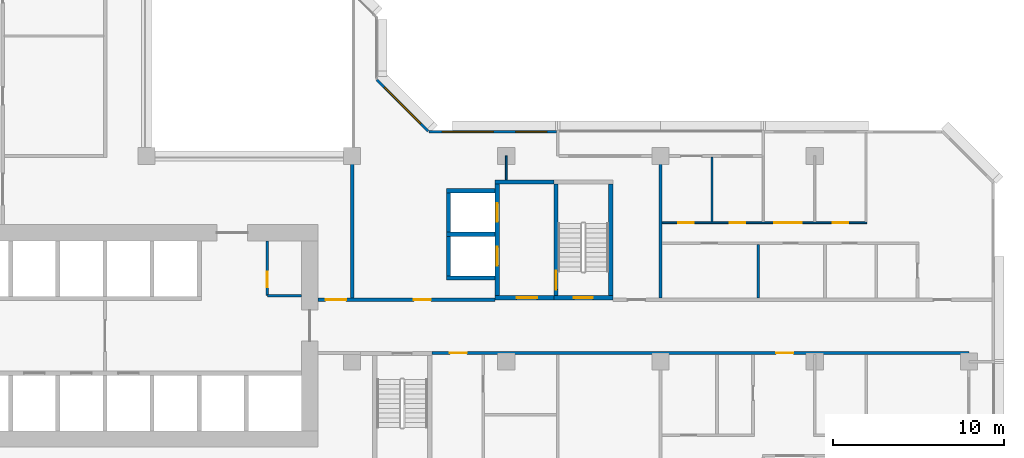
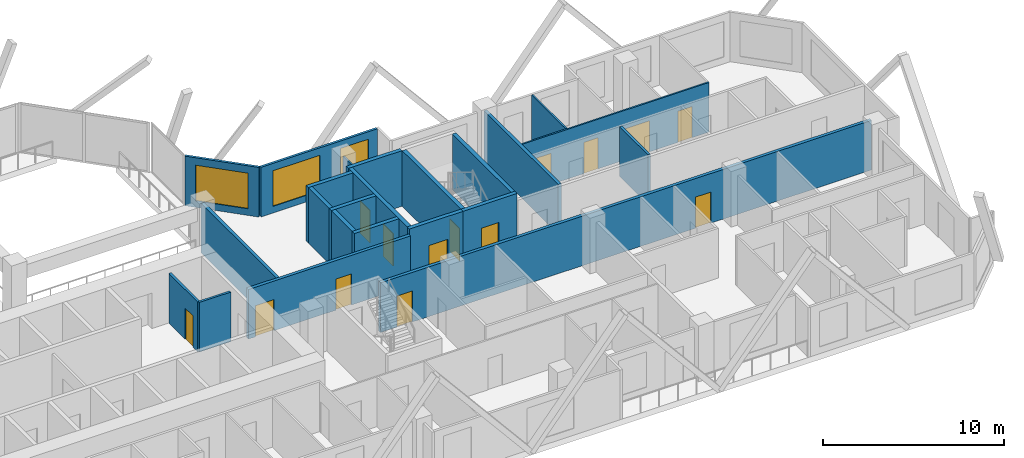
# One storey, part 7 of 15: 23 walls, 14 doors, 3 windows, 17 openings.
"""IFC4 building model written with IfcOpenShell, lengths in metres."""

from ifc_helpers import new_model, si_unit, direction, frame, frame_2d, origin, place, context, subcontext, project, spatial, rectangle, extrude, material, layer, layer_set, type_object, element, fill, save


model = new_model("IFC4")

# Units and contexts
model_context = context("Model", 3, precision=1e-05, world=origin(), true_north=direction((0.0, 1.0)))
body_context = subcontext(model_context, "Body", "Model", "MODEL_VIEW")
ifc_project = project(units=[si_unit("LENGTHUNIT", "METRE"), si_unit("AREAUNIT", "SQUARE_METRE"), si_unit("VOLUMEUNIT", "CUBIC_METRE"), si_unit("PLANEANGLEUNIT", "RADIAN"), si_unit("MASSUNIT", "GRAM", prefix="KILO")], contexts=[model_context])

# Site, building, storey
site_placement = place(None, origin())
site = spatial("IfcSite", under=ifc_project, at=site_placement, CompositionType="ELEMENT")
building_placement = place(site_placement, origin())
building = spatial("IfcBuilding", under=site, at=building_placement, Name="Chenar Terraces", CompositionType="ELEMENT")
storey_placement = place(building_placement, frame((0.0, 0.0, 121.89990234375)))
storey = spatial("IfcBuildingStorey", under=building, at=storey_placement, Name="L28", CompositionType="ELEMENT", Elevation=121.89990234375)

# Wall, opening, door
ifc_material_1 = material(Name="Gypsum board on steel studs", Category="steel")
ifc_layer_1 = layer(ifc_material_1, 0.14990234375)
ifc_layer_set_1 = layer_set([ifc_layer_1], Name="Gypsum board on steel studs")
wall_type_1 = type_object("IfcWallType", Name="Core partition 150 gypsum board", PredefinedType="PARTITIONING", material=ifc_layer_set_1)
wall_1_placement = place(storey_placement, frame((31.050048828125, 15.85009765625, 0.0), z_axis=(0.0, 0.0, 1.0), x_axis=(0.0, 1.0, 0.0)))
wall_1 = element("IfcWall", 1, at=wall_1_placement, inside=storey, type_object=wall_type_1, Name="Core partition CP1 vestibule room west wall", PredefinedType="PARTITIONING", context=body_context, shape_type="SweptSolid", body=[
    extrude(rectangle(XDim=3.199951171875, YDim=0.14990234375, at=frame_2d((1.60009765625, 0.0))), origin(), (0.0, 0.0, 1.0), 3.35009765625),
])
opening_1_placement = place(wall_1_placement, frame((0.5, 0.0, 0.0)))
opening_1 = element("IfcOpeningElement", 2, at=opening_1_placement, cuts=wall_1, Name="Opening DL28-C13", PredefinedType="OPENING", context=body_context, shape_type="SweptSolid", body=[
    extrude(rectangle(XDim=0.89990234375, YDim=2.10009765625, at=frame_2d((0.449951171875, 1.050048828125))), frame((0.0, 0.0849609375, 0.0), z_axis=(0.0, -1.0, 0.0), x_axis=(1.0, 0.0, 0.0)), (0.0, 0.0, 1.0), 0.169921875),
])
ifc_material_2 = material(Name="Steel-framed fire-resisting door leaf", Category="steel")
door_type_1 = type_object("IfcDoorType", Name="Riser fire door FD60 900 x 2100", OperationType="SINGLE_SWING_LEFT", PredefinedType="DOOR", material=ifc_material_2)
door_1_placement = place(opening_1_placement, frame((0.89990234375, 0.0, 0.0), z_axis=(0.0, 0.0, 1.0), x_axis=(-1.0, 0.0, 0.0)))
door_1 = element("IfcDoor", 3, at=door_1_placement, inside=storey, type_object=door_type_1, Name="Core room door DL28-C13", OperationType="SINGLE_SWING_RIGHT", OverallHeight=2.10009765625, OverallWidth=0.89990234375, PredefinedType="DOOR", context=body_context, shape_type="SweptSolid", body=[
    extrude(rectangle(XDim=0.89990234375, YDim=2.10009765625, at=frame_2d((0.449951171875, 1.050048828125))), frame((0.0, 0.02490234375, 0.0), z_axis=(0.0, -1.0, 0.0), x_axis=(1.0, 0.0, 0.0)), (0.0, 0.0, 1.0), 0.050048828125),
])
fill(opening_1, door_1)

# Wall
wall_2_placement = place(storey_placement, frame((31.050048828125, 15.85009765625, 0.0), z_axis=(0.0, 0.0, 1.0), x_axis=(1.0, 0.0, 0.0)))
element("IfcWall", 4, at=wall_2_placement, inside=storey, type_object=wall_type_1, Name="Core partition CP1 vestibule room south wall", PredefinedType="PARTITIONING", context=body_context, shape_type="SweptSolid", body=[
    extrude(rectangle(XDim=2.0, YDim=0.14990234375, at=frame_2d((1.0, 0.0))), origin(), (0.0, 0.0, 1.0), 3.35009765625),
])

# Wall, opening, door
ifc_material_3 = material(Name="Concrete C70/85", Category="concrete")
ifc_layer_2 = layer(ifc_material_3, 0.25)
ifc_layer_set_2 = layer_set([ifc_layer_2], Name="Concrete C70/85")
wall_type_2 = type_object("IfcWallType", Name="Core wall 250 Concrete C70/85", PredefinedType="SHEAR", material=ifc_layer_set_2)
wall_3_placement = place(storey_placement, frame((47.77490234375, 15.72509765625, 0.0), z_axis=(0.0, 0.0, 1.0), x_axis=(1.0, 0.0, 0.0)))
wall_3 = element("IfcWall", 5, at=wall_3_placement, inside=storey, type_object=wall_type_2, Name="Core wall ST3_S L28", PredefinedType="SHEAR", context=body_context, shape_type="SweptSolid", body=[
    extrude(rectangle(XDim=3.4501953125, YDim=0.25, at=frame_2d((1.72509765625, 0.0))), origin(), (0.0, 0.0, 1.0), 3.75),
])
opening_2_placement = place(wall_3_placement, frame((1.175048828125, 0.0, 0.0)))
opening_2 = element("IfcOpeningElement", 6, at=opening_2_placement, cuts=wall_3, Name="Opening DL28-C8", PredefinedType="OPENING", context=body_context, shape_type="SweptSolid", body=[
    extrude(rectangle(XDim=1.10009765625, YDim=2.199951171875, at=frame_2d((0.550048828125, 1.10009765625))), frame((0.0, 0.135009765625, 0.0), z_axis=(0.0, -1.0, 0.0), x_axis=(1.0, 0.0, 0.0)), (0.0, 0.0, 1.0), 0.27001953125),
])
ifc_material_4 = material(Name="Steel-framed fire-resisting door leaf", Category="steel")
door_type_2 = type_object("IfcDoorType", Name="Stair fire door FD60 1100 x 2200", OperationType="SINGLE_SWING_LEFT", PredefinedType="DOOR", material=ifc_material_4)
door_2_placement = place(opening_2_placement, frame((1.10009765625, 0.0, 0.0), z_axis=(0.0, 0.0, 1.0), x_axis=(-1.0, 0.0, 0.0)))
door_2 = element("IfcDoor", 7, at=door_2_placement, inside=storey, type_object=door_type_2, Name="Stair door DL28-C8", OperationType="SINGLE_SWING_LEFT", OverallHeight=2.199951171875, OverallWidth=1.10009765625, PredefinedType="DOOR", context=body_context, shape_type="SweptSolid", body=[
    extrude(rectangle(XDim=1.10009765625, YDim=2.199951171875, at=frame_2d((0.550048828125, 1.10009765625))), frame((0.0, 0.02490234375, 0.0), z_axis=(0.0, -1.0, 0.0), x_axis=(1.0, 0.0, 0.0)), (0.0, 0.0, 1.0), 0.050048828125),
])
fill(opening_2, door_2)

wall_4_placement = place(storey_placement, frame((47.89990234375, 15.85009765625, 0.0), z_axis=(0.0, 0.0, 1.0), x_axis=(0.0, 1.0, 0.0)))
wall_4 = element("IfcWall", 8, at=wall_4_placement, inside=storey, type_object=wall_type_2, Name="Core wall ST3_W L28", PredefinedType="SHEAR", context=body_context, shape_type="SweptSolid", body=[
    extrude(rectangle(XDim=6.5, YDim=0.25, at=frame_2d((3.25, 0.0))), origin(), (0.0, 0.0, 1.0), 3.75),
])
opening_3_placement = place(wall_4_placement, frame((0.35009765625, 0.0, 0.0)))
opening_3 = element("IfcOpeningElement", 9, at=opening_3_placement, cuts=wall_4, Name="Opening DL28-C11", PredefinedType="OPENING", context=body_context, shape_type="SweptSolid", body=[
    extrude(rectangle(XDim=1.10009765625, YDim=2.199951171875, at=frame_2d((0.550048828125, 1.10009765625))), frame((0.0, 0.135009765625, 0.0), z_axis=(0.0, -1.0, 0.0), x_axis=(1.0, 0.0, 0.0)), (0.0, 0.0, 1.0), 0.27001953125),
])
door_3_placement = place(opening_3_placement, frame((1.10009765625, 0.0, 0.0), z_axis=(0.0, 0.0, 1.0), x_axis=(-1.0, 0.0, 0.0)))
door_3 = element("IfcDoor", 10, at=door_3_placement, inside=storey, type_object=door_type_2, Name="Stair door DL28-C11", OperationType="SINGLE_SWING_RIGHT", OverallHeight=2.199951171875, OverallWidth=1.10009765625, PredefinedType="DOOR", context=body_context, shape_type="SweptSolid", body=[
    extrude(rectangle(XDim=1.10009765625, YDim=2.199951171875, at=frame_2d((0.550048828125, 1.10009765625))), frame((0.0, 0.02490234375, 0.0), z_axis=(0.0, -1.0, 0.0), x_axis=(1.0, 0.0, 0.0)), (0.0, 0.0, 1.0), 0.050048828125),
])
fill(opening_3, door_3)

# Wall
wall_5_placement = place(storey_placement, frame((51.10009765625, 15.85009765625, 0.0), z_axis=(0.0, 0.0, 1.0), x_axis=(0.0, 1.0, 0.0)))
element("IfcWall", 11, at=wall_5_placement, inside=storey, type_object=wall_type_2, Name="Core wall ST3_E L28", PredefinedType="SHEAR", context=body_context, shape_type="SweptSolid", body=[
    extrude(rectangle(XDim=6.5, YDim=0.25, at=frame_2d((3.25, 0.0))), origin(), (0.0, 0.0, 1.0), 3.75),
])

# Wall, opening, door
wall_6_placement = place(storey_placement, frame((44.35009765625, 15.72509765625, 0.0), z_axis=(0.0, 0.0, 1.0), x_axis=(1.0, 0.0, 0.0)))
wall_6 = element("IfcWall", 12, at=wall_6_placement, inside=storey, type_object=wall_type_2, Name="Core wall F3_LS L28", PredefinedType="SHEAR", context=body_context, shape_type="SweptSolid", body=[
    extrude(rectangle(XDim=3.4248046875, YDim=0.25, at=frame_2d((1.71240234375, 0.0))), origin(), (0.0, 0.0, 1.0), 3.75),
])
opening_4_placement = place(wall_6_placement, frame((1.25, 0.0, 0.0)))
opening_4 = element("IfcOpeningElement", 13, at=opening_4_placement, cuts=wall_6, Name="Opening DL28-C10", PredefinedType="OPENING", context=body_context, shape_type="SweptSolid", body=[
    extrude(rectangle(XDim=1.199951171875, YDim=2.199951171875, at=frame_2d((0.60009765625, 1.10009765625))), frame((0.0, 0.135009765625, 0.0), z_axis=(0.0, -1.0, 0.0), x_axis=(1.0, 0.0, 0.0)), (0.0, 0.0, 1.0), 0.27001953125),
])
ifc_material_5 = material(Name="Steel-framed fire-resisting door leaf", Category="steel")
door_type_3 = type_object("IfcDoorType", Name="Lobby fire door FD60 1200 x 2200", OperationType="SINGLE_SWING_LEFT", PredefinedType="DOOR", material=ifc_material_5)
door_4_placement = place(opening_4_placement, origin())
door_4 = element("IfcDoor", 14, at=door_4_placement, inside=storey, type_object=door_type_3, Name="Core door DL28-C10", OperationType="SINGLE_SWING_RIGHT", OverallHeight=2.199951171875, OverallWidth=1.199951171875, PredefinedType="DOOR", context=body_context, shape_type="SweptSolid", body=[
    extrude(rectangle(XDim=1.199951171875, YDim=2.199951171875, at=frame_2d((0.60009765625, 1.10009765625))), frame((0.0, 0.02490234375, 0.0), z_axis=(0.0, -1.0, 0.0), x_axis=(1.0, 0.0, 0.0)), (0.0, 0.0, 1.0), 0.050048828125),
])
fill(opening_4, door_4)

# Wall
wall_7_placement = place(storey_placement, frame((44.35009765625, 22.47509765625, 0.0), z_axis=(0.0, 0.0, 1.0), x_axis=(1.0, 0.0, 0.0)))
element("IfcWall", 15, at=wall_7_placement, inside=storey, type_object=wall_type_2, Name="Core wall F3_LN L28", PredefinedType="SHEAR", context=body_context, shape_type="SweptSolid", body=[
    extrude(rectangle(XDim=3.4248046875, YDim=0.25, at=frame_2d((1.71240234375, 0.0))), origin(), (0.0, 0.0, 1.0), 3.75),
])

# Wall, openings, doors
wall_8_placement = place(storey_placement, frame((44.47509765625, 15.85009765625, 0.0), z_axis=(0.0, 0.0, 1.0), x_axis=(0.0, 1.0, 0.0)))
wall_8 = element("IfcWall", 16, at=wall_8_placement, inside=storey, type_object=wall_type_2, Name="Core wall F3_LW L28", PredefinedType="SHEAR", context=body_context, shape_type="SweptSolid", body=[
    extrude(rectangle(XDim=6.5, YDim=0.25, at=frame_2d((3.25, 0.0))), origin(), (0.0, 0.0, 1.0), 3.75),
])
opening_5_placement = place(wall_8_placement, frame((1.75, 0.0, 0.0)))
opening_5 = element("IfcOpeningElement", 17, at=opening_5_placement, cuts=wall_8, Name="Opening DL28-LD8", PredefinedType="OPENING", context=body_context, shape_type="SweptSolid", body=[
    extrude(rectangle(XDim=1.10009765625, YDim=2.199951171875, at=frame_2d((0.550048828125, 1.10009765625))), frame((0.0, 0.135009765625, 0.0), z_axis=(0.0, -1.0, 0.0), x_axis=(1.0, 0.0, 0.0)), (0.0, 0.0, 1.0), 0.27001953125),
])
opening_6_placement = place(wall_8_placement, frame((4.300048828125, 0.0, 0.0)))
opening_6 = element("IfcOpeningElement", 18, at=opening_6_placement, cuts=wall_8, Name="Opening DL28-LD9", PredefinedType="OPENING", context=body_context, shape_type="SweptSolid", body=[
    extrude(rectangle(XDim=1.10009765625, YDim=2.199951171875, at=frame_2d((0.550048828125, 1.10009765625))), frame((0.0, 0.135009765625, 0.0), z_axis=(0.0, -1.0, 0.0), x_axis=(1.0, 0.0, 0.0)), (0.0, 0.0, 1.0), 0.27001953125),
])
ifc_material_6 = material(Name="Stainless steel", Category="steel")
door_type_4 = type_object("IfcDoorType", Name="Lift landing door 1100 x 2200 sliding", OperationType="DOUBLE_DOOR_SLIDING", PredefinedType="DOOR", material=ifc_material_6)
door_5_placement = place(opening_5_placement, origin())
door_5 = element("IfcDoor", 19, at=door_5_placement, inside=storey, type_object=door_type_4, Name="Landing door F3", OperationType="DOUBLE_DOOR_SLIDING", OverallHeight=2.199951171875, OverallWidth=1.10009765625, PredefinedType="DOOR", context=body_context, shape_type="SweptSolid", body=[
    extrude(rectangle(XDim=1.10009765625, YDim=2.199951171875, at=frame_2d((0.550048828125, 1.10009765625))), frame((0.0, 0.02490234375, 0.0), z_axis=(0.0, -1.0, 0.0), x_axis=(1.0, 0.0, 0.0)), (0.0, 0.0, 1.0), 0.050048828125),
])
fill(opening_5, door_5)
door_6_placement = place(opening_6_placement, origin())
door_6 = element("IfcDoor", 20, at=door_6_placement, inside=storey, type_object=door_type_4, Name="Landing door F4", OperationType="DOUBLE_DOOR_SLIDING", OverallHeight=2.199951171875, OverallWidth=1.10009765625, PredefinedType="DOOR", context=body_context, shape_type="SweptSolid", body=[
    extrude(rectangle(XDim=1.10009765625, YDim=2.199951171875, at=frame_2d((0.550048828125, 1.10009765625))), frame((0.0, 0.02490234375, 0.0), z_axis=(0.0, -1.0, 0.0), x_axis=(1.0, 0.0, 0.0)), (0.0, 0.0, 1.0), 0.050048828125),
])
fill(opening_6, door_6)

# Walls
for number, where, z_axis, x_axis, name in (
    (21, (41.5, 16.875, 0.0), (0.0, 0.0, 1.0), (1.0, 0.0, 0.0), "Core wall F3_SS L28"),
    (22, (41.5, 19.425048828125, 0.0), (0.0, 0.0, 1.0), (1.0, 0.0, 0.0), "Core wall F3_SM L28"),
    (23, (41.5, 21.97509765625, 0.0), (0.0, 0.0, 1.0), (1.0, 0.0, 0.0), "Core wall F4_SN L28"),
):
    element("IfcWall", number, at=place(storey_placement, frame(where, z_axis=z_axis, x_axis=x_axis)), inside=storey, type_object=wall_type_2, Name=name, PredefinedType="SHEAR", context=body_context, shape_type="SweptSolid", body=[
        extrude(rectangle(XDim=2.85009765625, YDim=0.25, at=frame_2d((1.425048828125, 0.0))), origin(), (0.0, 0.0, 1.0), 3.75),
    ])
for number, where, z_axis, x_axis, name in (
    (24, (41.625, 17.0, 0.0), (0.0, 0.0, 1.0), (0.0, 1.0, 0.0), "Core wall F3_SW L28"),
    (25, (41.625, 19.550048828125, 0.0), (0.0, 0.0, 1.0), (0.0, 1.0, 0.0), "Core wall F4_SW L28"),
):
    element("IfcWall", number, at=place(storey_placement, frame(where, z_axis=z_axis, x_axis=x_axis)), inside=storey, type_object=wall_type_2, Name=name, PredefinedType="SHEAR", context=body_context, shape_type="SweptSolid", body=[
        extrude(rectangle(XDim=2.300048828125, YDim=0.25, at=frame_2d((1.14990234375, 0.0))), origin(), (0.0, 0.0, 1.0), 3.75),
    ])

# Wall, openings, doors
ifc_material_7 = material(Name="Gypsum board on steel studs with fire boards", Category="steel")
ifc_layer_3 = layer(ifc_material_7, 0.199951171875)
ifc_layer_set_3 = layer_set([ifc_layer_3], Name="Gypsum board on steel studs with fire boards")
wall_type_3 = type_object("IfcWallType", Name="Corridor wall 200", PredefinedType="PARTITIONING", material=ifc_layer_set_3)
wall_9_placement = place(storey_placement, frame((34.0, 15.60009765625, 0.0), z_axis=(0.0, 0.0, 1.0), x_axis=(1.0, 0.0, 0.0)))
wall_9 = element("IfcWall", 26, at=wall_9_placement, inside=storey, type_object=wall_type_3, Name="Partition L28-064", PredefinedType="PARTITIONING", context=body_context, shape_type="SweptSolid", body=[
    extrude(rectangle(XDim=10.35009765625, YDim=0.199951171875, at=frame_2d((5.175048828125, 0.0))), origin(), (0.0, 0.0, 1.0), 3.35009765625),
])
opening_7_placement = place(wall_9_placement, frame((5.60009765625, 0.0, 0.0)))
opening_7 = element("IfcOpeningElement", 27, at=opening_7_placement, cuts=wall_9, Name="Opening DL28-3", PredefinedType="OPENING", context=body_context, shape_type="SweptSolid", body=[
    extrude(rectangle(XDim=1.0, YDim=2.10009765625, at=frame_2d((0.5, 1.050048828125))), frame((0.0, 0.10986328125, 0.0), z_axis=(0.0, -1.0, 0.0), x_axis=(1.0, 0.0, 0.0)), (0.0, 0.0, 1.0), 0.219970703125),
])
opening_8_placement = place(wall_9_placement, frame((0.449951171875, 0.0, 0.0)))
opening_8 = element("IfcOpeningElement", 28, at=opening_8_placement, cuts=wall_9, Name="Opening DL28-49", PredefinedType="OPENING", context=body_context, shape_type="SweptSolid", body=[
    extrude(rectangle(XDim=1.199951171875, YDim=2.10009765625, at=frame_2d((0.60009765625, 1.050048828125))), frame((0.0, 0.10986328125, 0.0), z_axis=(0.0, -1.0, 0.0), x_axis=(1.0, 0.0, 0.0)), (0.0, 0.0, 1.0), 0.219970703125),
])
ifc_material_8 = material(Name="Steel-framed fire-resisting door leaf", Category="steel")
door_type_5 = type_object("IfcDoorType", Name="Fire door FD60 1000 x 2100", OperationType="SINGLE_SWING_LEFT", PredefinedType="DOOR", material=ifc_material_8)
door_7_placement = place(opening_7_placement, origin())
door_7 = element("IfcDoor", 29, at=door_7_placement, inside=storey, type_object=door_type_5, Name="Door DL28-3", OperationType="SINGLE_SWING_RIGHT", OverallHeight=2.10009765625, OverallWidth=1.0, PredefinedType="DOOR", context=body_context, shape_type="SweptSolid", body=[
    extrude(rectangle(XDim=1.0, YDim=2.10009765625, at=frame_2d((0.5, 1.050048828125))), frame((0.0, 0.02490234375, 0.0), z_axis=(0.0, -1.0, 0.0), x_axis=(1.0, 0.0, 0.0)), (0.0, 0.0, 1.0), 0.050048828125),
])
fill(opening_7, door_7)
ifc_material_9 = material(Name="Steel-framed fire-resisting door leaf", Category="steel")
door_type_6 = type_object("IfcDoorType", Name="Fire door FD60 1200 x 2100", OperationType="SINGLE_SWING_LEFT", PredefinedType="DOOR", material=ifc_material_9)
door_8_placement = place(opening_8_placement, origin())
door_8 = element("IfcDoor", 30, at=door_8_placement, inside=storey, type_object=door_type_6, Name="Door DL28-49", OperationType="SINGLE_SWING_RIGHT", OverallHeight=2.10009765625, OverallWidth=1.199951171875, PredefinedType="DOOR", context=body_context, shape_type="SweptSolid", body=[
    extrude(rectangle(XDim=1.199951171875, YDim=2.10009765625, at=frame_2d((0.60009765625, 1.050048828125))), frame((0.0, 0.02490234375, 0.0), z_axis=(0.0, -1.0, 0.0), x_axis=(1.0, 0.0, 0.0)), (0.0, 0.0, 1.0), 0.050048828125),
])
fill(opening_8, door_8)

# Wall
wall_10_placement = place(storey_placement, frame((36.0, 15.699951171875, 0.0), z_axis=(0.0, 0.0, 1.0), x_axis=(0.0, 1.0, 0.0)))
element("IfcWall", 31, at=wall_10_placement, inside=storey, type_object=wall_type_3, Name="Partition L28-066", PredefinedType="PARTITIONING", context=body_context, shape_type="SweptSolid", body=[
    extrude(rectangle(XDim=8.300048828125, YDim=0.199951171875, at=frame_2d((4.14990234375, 0.0))), origin(), (0.0, 0.0, 1.0), 3.35009765625),
])

# Wall, openings, doors
wall_11_placement = place(storey_placement, frame((40.64990234375, 12.5, 0.0), z_axis=(0.0, 0.0, 1.0), x_axis=(1.0, 0.0, 0.0)))
wall_11 = element("IfcWall", 32, at=wall_11_placement, inside=storey, type_object=wall_type_3, Name="Partition L28-068", PredefinedType="PARTITIONING", context=body_context, shape_type="SweptSolid", body=[
    extrude(rectangle(XDim=31.35009765625, YDim=0.199951171875, at=frame_2d((15.675048828125, 0.0))), origin(), (0.0, 0.0, 1.0), 3.35009765625),
])
opening_9_placement = place(wall_11_placement, frame((20.10009765625, 0.0, 0.0)))
opening_9 = element("IfcOpeningElement", 33, at=opening_9_placement, cuts=wall_11, Name="Opening DL28-17", PredefinedType="OPENING", context=body_context, shape_type="SweptSolid", body=[
    extrude(rectangle(XDim=1.0, YDim=2.10009765625, at=frame_2d((0.5, 1.050048828125))), frame((0.0, 0.10986328125, 0.0), z_axis=(0.0, -1.0, 0.0), x_axis=(1.0, 0.0, 0.0)), (0.0, 0.0, 1.0), 0.219970703125),
])
opening_10_placement = place(wall_11_placement, frame((1.050048828125, 0.0, 0.0)))
opening_10 = element("IfcOpeningElement", 34, at=opening_10_placement, cuts=wall_11, Name="Opening DL28-66", PredefinedType="OPENING", context=body_context, shape_type="SweptSolid", body=[
    extrude(rectangle(XDim=1.0, YDim=2.10009765625, at=frame_2d((0.5, 1.050048828125))), frame((0.0, 0.10986328125, 0.0), z_axis=(0.0, -1.0, 0.0), x_axis=(1.0, 0.0, 0.0)), (0.0, 0.0, 1.0), 0.219970703125),
])
ifc_material_10 = material(Name="Steel-framed fire-resisting door leaf", Category="steel")
door_type_7 = type_object("IfcDoorType", Name="Fire door FD30S 1000 x 2100", OperationType="SINGLE_SWING_LEFT", PredefinedType="DOOR", material=ifc_material_10)
door_9_placement = place(opening_9_placement, frame((1.0, 0.0, 0.0), z_axis=(0.0, 0.0, 1.0), x_axis=(-1.0, 0.0, 0.0)))
door_9 = element("IfcDoor", 35, at=door_9_placement, inside=storey, type_object=door_type_7, Name="Door DL28-17", OperationType="SINGLE_SWING_LEFT", OverallHeight=2.10009765625, OverallWidth=1.0, PredefinedType="DOOR", context=body_context, shape_type="SweptSolid", body=[
    extrude(rectangle(XDim=1.0, YDim=2.10009765625, at=frame_2d((0.5, 1.050048828125))), frame((0.0, 0.02490234375, 0.0), z_axis=(0.0, -1.0, 0.0), x_axis=(1.0, 0.0, 0.0)), (0.0, 0.0, 1.0), 0.050048828125),
])
fill(opening_9, door_9)
door_10_placement = place(opening_10_placement, origin())
door_10 = element("IfcDoor", 36, at=door_10_placement, inside=storey, type_object=door_type_7, Name="Door DL28-66", OperationType="SINGLE_SWING_RIGHT", OverallHeight=2.10009765625, OverallWidth=1.0, PredefinedType="DOOR", context=body_context, shape_type="SweptSolid", body=[
    extrude(rectangle(XDim=1.0, YDim=2.10009765625, at=frame_2d((0.5, 1.050048828125))), frame((0.0, 0.02490234375, 0.0), z_axis=(0.0, -1.0, 0.0), x_axis=(1.0, 0.0, 0.0)), (0.0, 0.0, 1.0), 0.050048828125),
])
fill(opening_10, door_10)

# Wall, openings, windows
ifc_material_11 = material(Name="Aluminium framed glazing", Category="aluminium")
ifc_layer_4 = layer(ifc_material_11, 0.14990234375)
ifc_layer_set_4 = layer_set([ifc_layer_4], Name="Aluminium framed glazing")
wall_type_4 = type_object("IfcWallType", Name="Glazed flush facade wall 150", PredefinedType="SOLIDWALL", material=ifc_layer_set_4)
wall_12_placement = place(storey_placement, frame((47.925048828125, 25.425048828125, 0.0), z_axis=(0.0, 0.0, 1.0), x_axis=(-1.0, 0.0, 0.0)))
wall_12 = element("IfcWall", 37, at=wall_12_placement, inside=storey, type_object=wall_type_4, Name="Glazed flush facade wall", PredefinedType="SOLIDWALL", context=body_context, shape_type="SweptSolid", body=[
    extrude(rectangle(XDim=7.425048828125, YDim=0.14990234375, at=frame_2d((3.71240234375, 0.0))), origin(), (0.0, 0.0, 1.0), 3.35009765625),
])
opening_11_placement = place(wall_12_placement, frame((0.5625, 0.0, 0.449951171875)))
opening_11 = element("IfcOpeningElement", 38, at=opening_11_placement, cuts=wall_12, Name="Opening W180x240", PredefinedType="OPENING", context=body_context, shape_type="SweptSolid", body=[
    extrude(rectangle(XDim=1.800048828125, YDim=2.39990234375, at=frame_2d((0.89990234375, 1.199951171875))), frame((0.0, 0.0849609375, 0.0), z_axis=(0.0, -1.0, 0.0), x_axis=(1.0, 0.0, 0.0)), (0.0, 0.0, 1.0), 0.169921875),
])
opening_12_placement = place(wall_12_placement, frame((3.675048828125, 0.0, 0.449951171875)))
opening_12 = element("IfcOpeningElement", 39, at=opening_12_placement, cuts=wall_12, Name="Opening W300x240", PredefinedType="OPENING", context=body_context, shape_type="SweptSolid", body=[
    extrude(rectangle(XDim=3.0, YDim=2.39990234375, at=frame_2d((1.5, 1.199951171875))), frame((0.0, 0.0849609375, 0.0), z_axis=(0.0, -1.0, 0.0), x_axis=(1.0, 0.0, 0.0)), (0.0, 0.0, 1.0), 0.169921875),
])
ifc_material_12 = material(Name="Low emissivity double glazing, aluminium frame", Category="aluminium")
window_type_1 = type_object("IfcWindowType", Name="Fixed light 1800 x 2400", PartitioningType="SINGLE_PANEL", PredefinedType="WINDOW", material=ifc_material_12)
window_1_placement = place(opening_11_placement, origin())
window_1 = element("IfcWindow", 40, at=window_1_placement, inside=storey, type_object=window_type_1, Name="Window", OverallHeight=2.39990234375, OverallWidth=1.800048828125, PartitioningType="SINGLE_PANEL", PredefinedType="WINDOW", context=body_context, shape_type="SweptSolid", body=[
    extrude(rectangle(XDim=1.800048828125, YDim=2.39990234375, at=frame_2d((0.89990234375, 1.199951171875))), frame((0.0, 0.030029296875, 0.0), z_axis=(0.0, -1.0, 0.0), x_axis=(1.0, 0.0, 0.0)), (0.0, 0.0, 1.0), 0.06005859375),
])
fill(opening_11, window_1)
ifc_material_13 = material(Name="Low emissivity double glazing, aluminium frame", Category="aluminium")
window_type_2 = type_object("IfcWindowType", Name="Fixed light 3000 x 2400", PartitioningType="SINGLE_PANEL", PredefinedType="WINDOW", material=ifc_material_13)
window_2_placement = place(opening_12_placement, origin())
window_2 = element("IfcWindow", 41, at=window_2_placement, inside=storey, type_object=window_type_2, Name="Window", OverallHeight=2.39990234375, OverallWidth=3.0, PartitioningType="SINGLE_PANEL", PredefinedType="WINDOW", context=body_context, shape_type="SweptSolid", body=[
    extrude(rectangle(XDim=3.0, YDim=2.39990234375, at=frame_2d((1.5, 1.199951171875))), frame((0.0, 0.030029296875, 0.0), z_axis=(0.0, -1.0, 0.0), x_axis=(1.0, 0.0, 0.0)), (0.0, 0.0, 1.0), 0.06005859375),
])
fill(opening_12, window_2)

# Wall
ifc_material_14 = material(Name="Gypsum board on steel studs", Category="steel")
ifc_layer_5 = layer(ifc_material_14, 0.10009765625)
ifc_layer_set_5 = layer_set([ifc_layer_5], Name="Gypsum board on steel studs")
wall_type_5 = type_object("IfcWallType", Name="Gypsum partition 100", PredefinedType="PARTITIONING", material=ifc_layer_set_5)
wall_13_placement = place(storey_placement, frame((45.0, 22.60009765625, 0.0), z_axis=(0.0, 0.0, 1.0), x_axis=(0.0, 1.0, 0.0)))
element("IfcWall", 42, at=wall_13_placement, inside=storey, type_object=wall_type_5, Name="Partition L28-072", PredefinedType="PARTITIONING", context=body_context, shape_type="SweptSolid", body=[
    extrude(rectangle(XDim=1.39990234375, YDim=0.10009765625, at=frame_2d((0.699951171875, 0.0))), origin(), (0.0, 0.0, 1.0), 3.35009765625),
])

# Wall, openings, doors
wall_14_placement = place(storey_placement, frame((54.10009765625, 20.10009765625, 0.0), z_axis=(0.0, 0.0, 1.0), x_axis=(1.0, 0.0, 0.0)))
wall_14 = element("IfcWall", 43, at=wall_14_placement, inside=storey, type_object=wall_type_5, Name="Partition L28-081", PredefinedType="PARTITIONING", context=body_context, shape_type="SweptSolid", body=[
    extrude(rectangle(XDim=11.949951171875, YDim=0.10009765625, at=frame_2d((5.97509765625, 0.0))), origin(), (0.0, 0.0, 1.0), 3.35009765625),
])
opening_13_placement = place(wall_14_placement, frame((0.949951171875, 0.0, 0.0)))
opening_13 = element("IfcOpeningElement", 44, at=opening_13_placement, cuts=wall_14, Name="Opening DL28-5", PredefinedType="OPENING", context=body_context, shape_type="SweptSolid", body=[
    extrude(rectangle(XDim=0.89990234375, YDim=2.10009765625, at=frame_2d((0.449951171875, 1.050048828125))), frame((0.0, 0.06005859375, 0.0), z_axis=(0.0, -1.0, 0.0), x_axis=(1.0, 0.0, 0.0)), (0.0, 0.0, 1.0), 0.1201171875),
])
opening_14_placement = place(wall_14_placement, frame((3.949951171875, 0.0, 0.0)))
opening_14 = element("IfcOpeningElement", 45, at=opening_14_placement, cuts=wall_14, Name="Opening DL28-6", PredefinedType="OPENING", context=body_context, shape_type="SweptSolid", body=[
    extrude(rectangle(XDim=0.89990234375, YDim=2.10009765625, at=frame_2d((0.449951171875, 1.050048828125))), frame((0.0, 0.06005859375, 0.0), z_axis=(0.0, -1.0, 0.0), x_axis=(1.0, 0.0, 0.0)), (0.0, 0.0, 1.0), 0.1201171875),
])
opening_15_placement = place(wall_14_placement, frame((6.550048828125, 0.0, 0.0)))
opening_15 = element("IfcOpeningElement", 46, at=opening_15_placement, cuts=wall_14, Name="Opening DL28-9", PredefinedType="OPENING", context=body_context, shape_type="SweptSolid", body=[
    extrude(rectangle(XDim=1.60009765625, YDim=2.10009765625, at=frame_2d((0.800048828125, 1.050048828125))), frame((0.0, 0.06005859375, 0.0), z_axis=(0.0, -1.0, 0.0), x_axis=(1.0, 0.0, 0.0)), (0.0, 0.0, 1.0), 0.1201171875),
])
opening_16_placement = place(wall_14_placement, frame((9.949951171875, 0.0, 0.0)))
opening_16 = element("IfcOpeningElement", 47, at=opening_16_placement, cuts=wall_14, Name="Opening DL28-10", PredefinedType="OPENING", context=body_context, shape_type="SweptSolid", body=[
    extrude(rectangle(XDim=0.89990234375, YDim=2.10009765625, at=frame_2d((0.449951171875, 1.050048828125))), frame((0.0, 0.06005859375, 0.0), z_axis=(0.0, -1.0, 0.0), x_axis=(1.0, 0.0, 0.0)), (0.0, 0.0, 1.0), 0.1201171875),
])
ifc_material_15 = material(Name="Veneered timber door leaf", Category="wood")
door_type_8 = type_object("IfcDoorType", Name="Door 900 x 2100", OperationType="SINGLE_SWING_LEFT", PredefinedType="DOOR", material=ifc_material_15)
door_11_placement = place(opening_13_placement, origin())
door_11 = element("IfcDoor", 48, at=door_11_placement, inside=storey, type_object=door_type_8, Name="Door DL28-5", OperationType="SINGLE_SWING_RIGHT", OverallHeight=2.10009765625, OverallWidth=0.89990234375, PredefinedType="DOOR", context=body_context, shape_type="SweptSolid", body=[
    extrude(rectangle(XDim=0.89990234375, YDim=2.10009765625, at=frame_2d((0.449951171875, 1.050048828125))), frame((0.0, 0.02490234375, 0.0), z_axis=(0.0, -1.0, 0.0), x_axis=(1.0, 0.0, 0.0)), (0.0, 0.0, 1.0), 0.050048828125),
])
fill(opening_13, door_11)
door_12_placement = place(opening_14_placement, origin())
door_12 = element("IfcDoor", 49, at=door_12_placement, inside=storey, type_object=door_type_8, Name="Door DL28-6", OperationType="SINGLE_SWING_RIGHT", OverallHeight=2.10009765625, OverallWidth=0.89990234375, PredefinedType="DOOR", context=body_context, shape_type="SweptSolid", body=[
    extrude(rectangle(XDim=0.89990234375, YDim=2.10009765625, at=frame_2d((0.449951171875, 1.050048828125))), frame((0.0, 0.02490234375, 0.0), z_axis=(0.0, -1.0, 0.0), x_axis=(1.0, 0.0, 0.0)), (0.0, 0.0, 1.0), 0.050048828125),
])
fill(opening_14, door_12)
door_13_placement = place(opening_16_placement, origin())
door_13 = element("IfcDoor", 50, at=door_13_placement, inside=storey, type_object=door_type_8, Name="Door DL28-10", OperationType="SINGLE_SWING_RIGHT", OverallHeight=2.10009765625, OverallWidth=0.89990234375, PredefinedType="DOOR", context=body_context, shape_type="SweptSolid", body=[
    extrude(rectangle(XDim=0.89990234375, YDim=2.10009765625, at=frame_2d((0.449951171875, 1.050048828125))), frame((0.0, 0.02490234375, 0.0), z_axis=(0.0, -1.0, 0.0), x_axis=(1.0, 0.0, 0.0)), (0.0, 0.0, 1.0), 0.050048828125),
])
fill(opening_16, door_13)
ifc_material_16 = material(Name="Veneered timber door leaf", Category="wood")
door_type_9 = type_object("IfcDoorType", Name="Double door 1600 x 2100", OperationType="DOUBLE_DOOR_SINGLE_SWING", PredefinedType="DOOR", material=ifc_material_16)
door_14_placement = place(opening_15_placement, origin())
door_14 = element("IfcDoor", 51, at=door_14_placement, inside=storey, type_object=door_type_9, Name="Door DL28-9", OperationType="DOUBLE_DOOR_SINGLE_SWING", OverallHeight=2.10009765625, OverallWidth=1.60009765625, PredefinedType="DOOR", context=body_context, shape_type="SweptSolid", body=[
    extrude(rectangle(XDim=1.60009765625, YDim=2.10009765625, at=frame_2d((0.800048828125, 1.050048828125))), frame((0.0, 0.02490234375, 0.0), z_axis=(0.0, -1.0, 0.0), x_axis=(1.0, 0.0, 0.0)), (0.0, 0.0, 1.0), 0.050048828125),
])
fill(opening_15, door_14)

# Wall
wall_15_placement = place(storey_placement, frame((57.0, 20.14990234375, 0.0), z_axis=(0.0, 0.0, 1.0), x_axis=(0.0, 1.0, 0.0)))
element("IfcWall", 52, at=wall_15_placement, inside=storey, type_object=wall_type_5, Name="Partition L28-082", PredefinedType="PARTITIONING", context=body_context, shape_type="SweptSolid", body=[
    extrude(rectangle(XDim=3.776123046875, YDim=0.10009765625, at=frame_2d((1.88818359375, 0.0))), origin(), (0.0, 0.0, 1.0), 3.35009765625),
])

# Wall, opening, window
ifc_material_17 = material(Name="Terracotta cladding on insulated backing", Category="masonry")
ifc_layer_6 = layer(ifc_material_17, 0.14990234375)
ifc_layer_set_6 = layer_set([ifc_layer_6], Name="Terracotta cladding on insulated backing")
wall_type_6 = type_object("IfcWallType", Name="Terracotta rainscreen wall 150", PredefinedType="SOLIDWALL", material=ifc_layer_set_6)
wall_16_placement = place(storey_placement, frame((40.447021484375, 25.447021484375, 0.0), z_axis=(0.0, 0.0, 1.0), x_axis=(-0.707106781187, 0.707106781187, 0.0)))
wall_16 = element("IfcWall", 53, at=wall_16_placement, inside=storey, type_object=wall_type_6, Name="Terracotta rainscreen wall", PredefinedType="SOLIDWALL", context=body_context, shape_type="SweptSolid", body=[
    extrude(rectangle(XDim=4.24267578125, YDim=0.14990234375, at=frame_2d((2.121337890625, 0.0))), origin(), (0.0, 0.0, 1.0), 3.35009765625),
])
opening_17_placement = place(wall_16_placement, frame((0.621337890625, 0.0, 0.449951171875)))
opening_17 = element("IfcOpeningElement", 54, at=opening_17_placement, cuts=wall_16, Name="Opening W300x240", PredefinedType="OPENING", context=body_context, shape_type="SweptSolid", body=[
    extrude(rectangle(XDim=3.0, YDim=2.39990234375, at=frame_2d((1.5, 1.199951171875))), frame((0.0, 0.0849609375, 0.0), z_axis=(0.0, -1.0, 0.0), x_axis=(1.0, 0.0, 0.0)), (0.0, 0.0, 1.0), 0.169921875),
])
window_3_placement = place(opening_17_placement, origin())
window_3 = element("IfcWindow", 55, at=window_3_placement, inside=storey, type_object=window_type_2, Name="Window", OverallHeight=2.39990234375, OverallWidth=3.0, PartitioningType="SINGLE_PANEL", PredefinedType="WINDOW", context=body_context, shape_type="SweptSolid", body=[
    extrude(rectangle(XDim=3.0, YDim=2.39990234375, at=frame_2d((1.5, 1.199951171875))), frame((0.0, 0.030029296875, 0.0), z_axis=(0.0, -1.0, 0.0), x_axis=(1.0, 0.0, 0.0)), (0.0, 0.0, 1.0), 0.06005859375),
])
fill(opening_17, window_3)

# Walls
ifc_material_18 = material(Name="Twin gypsum board on steel studs with mineral wool", Category="steel")
ifc_layer_7 = layer(ifc_material_18, 0.199951171875)
ifc_layer_set_7 = layer_set([ifc_layer_7], Name="Twin gypsum board on steel studs with mineral wool")
wall_type_7 = type_object("IfcWallType", Name="Unit demising wall 200", PredefinedType="PARTITIONING", material=ifc_layer_set_7)
wall_17_placement = place(storey_placement, frame((54.0, 15.699951171875, 0.0), z_axis=(0.0, 0.0, 1.0), x_axis=(0.0, 1.0, 0.0)))
element("IfcWall", 56, at=wall_17_placement, inside=storey, type_object=wall_type_7, Name="Partition L28-078", PredefinedType="PARTITIONING", context=body_context, shape_type="SweptSolid", body=[
    extrude(rectangle(XDim=8.22607421875, YDim=0.199951171875, at=frame_2d((4.113037109375, 0.0))), origin(), (0.0, 0.0, 1.0), 3.35009765625),
])
ifc_material_19 = material(Name="Moisture-resistant gypsum board on steel studs", Category="steel")
ifc_layer_8 = layer(ifc_material_19, 0.14990234375)
ifc_layer_set_8 = layer_set([ifc_layer_8], Name="Moisture-resistant gypsum board on steel studs")
wall_type_8 = type_object("IfcWallType", Name="Wet-room partition 150", PredefinedType="PARTITIONING", material=ifc_layer_set_8)
wall_18_placement = place(storey_placement, frame((59.699951171875, 15.699951171875, 0.0), z_axis=(0.0, 0.0, 1.0), x_axis=(0.0, 1.0, 0.0)))
element("IfcWall", 57, at=wall_18_placement, inside=storey, type_object=wall_type_8, Name="Partition L28-085", PredefinedType="PARTITIONING", context=body_context, shape_type="SweptSolid", body=[
    extrude(rectangle(XDim=3.125, YDim=0.14990234375, at=frame_2d((1.5625, 0.0))), origin(), (0.0, 0.0, 1.0), 3.35009765625),
])

save(model, "model.ifc")
